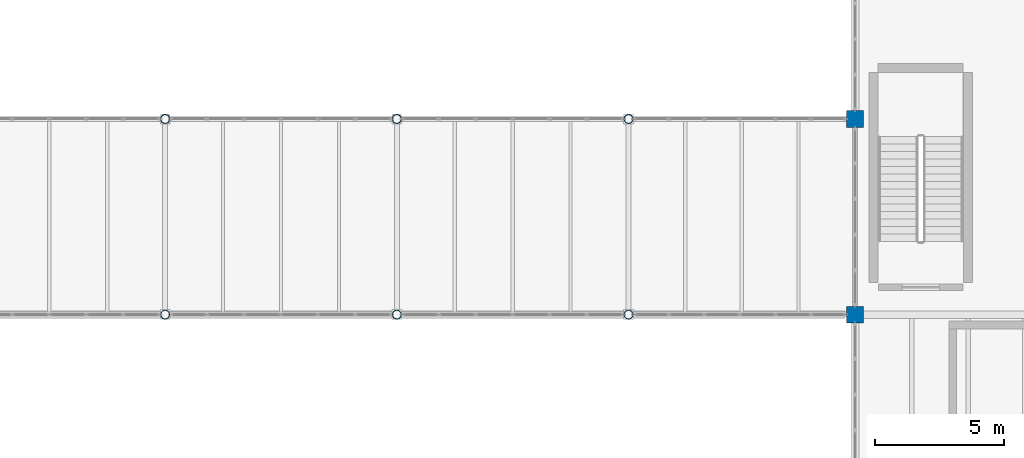
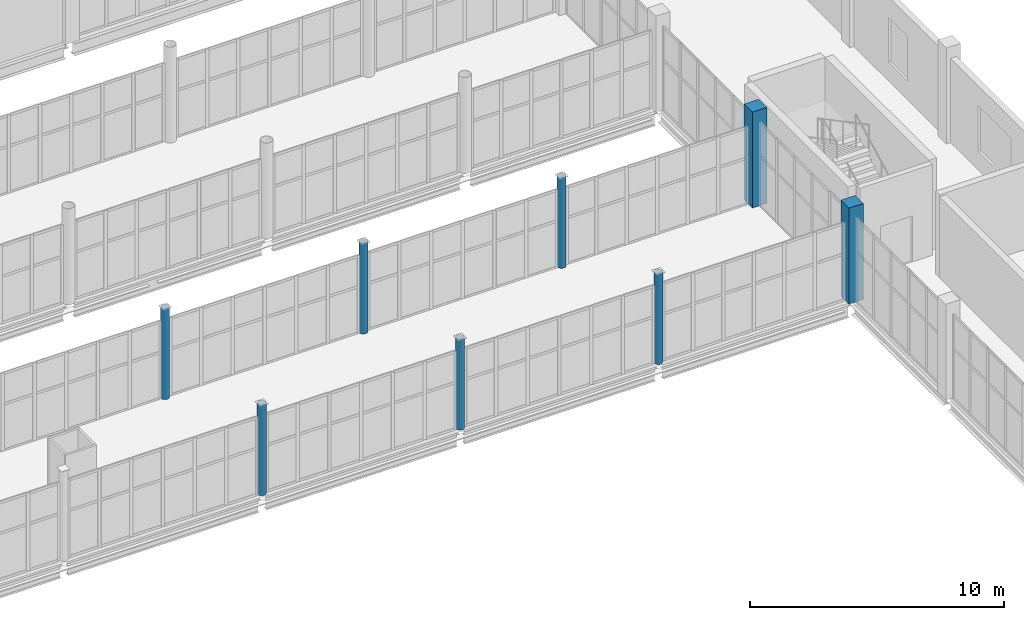
# One storey, part 14 of 172: 8 columns.
"""IFC4 building model written with IfcOpenShell, lengths in metres."""

import ifcopenshell
import ifcopenshell.guid

model = None  # the IFC model being written
_history = None  # IfcOwnerHistory: only IFC2X3 demands one
_inside = {}  # id of a spatial element -> (the spatial element, [elements in it])
_under = {}  # id of a project, library or spatial element -> (it, [spatial elements below it])
_declared = {}  # id of a project -> (the project, [libraries it declares])
_typed = {}  # id of a type object -> (the type object, [elements of that type])
_made_of = {}  # id of a material, layer set ... -> (it, [elements and type objects made of it])


def new_model(schema):
    """Start an empty IFC model of exactly this schema.

    Asked for "IFC4X3", IfcOpenShell would pick the latest addendum, in which some entities
    have other attributes; the version numbers below select the first issue.
    IFC2X3 requires an IfcOwnerHistory on every rooted entity: one is made here for all.
    """
    global model, _history
    if schema == "IFC4X3":
        model = ifcopenshell.file(schema_version=(4, 3, 0, 0))
    else:
        model = ifcopenshell.file(schema=schema)
    _inside.clear()
    _under.clear()
    _declared.clear()
    _typed.clear()
    _made_of.clear()
    _history = None
    if model.schema == "IFC2X3":
        org = make("IfcOrganization", Name="unknown")
        user = make(
            "IfcPersonAndOrganization",
            ThePerson=make("IfcPerson", FamilyName="unknown"),
            TheOrganization=org,
        )
        app = make(
            "IfcApplication",
            ApplicationDeveloper=org,
            Version="unknown",
            ApplicationFullName="unknown",
            ApplicationIdentifier="unknown",
        )
        _history = make(
            "IfcOwnerHistory",
            OwningUser=user,
            OwningApplication=app,
            ChangeAction="ADDED",
            CreationDate=0,
        )
    return model


def make(cls, **values):
    """One entity of the class cls with the attributes given. An attribute that is None is left unset."""
    return model.create_entity(
        cls, **{name: value for name, value in values.items() if value is not None}
    )


def rooted(cls, **values):
    """An entity with a GlobalId (a new one), such as an element, a storey or a relation."""
    return make(cls, GlobalId=ifcopenshell.guid.new(), OwnerHistory=_history, **values)


def si_unit(unit_type, name, prefix=None):
    """IfcSIUnit, for example si_unit("LENGTHUNIT", "METRE", prefix="MILLI")."""
    return make("IfcSIUnit", UnitType=unit_type, Prefix=prefix, Name=name)


def assignment(units):
    """IfcUnitAssignment: the units of a project."""
    return None if units is None else make("IfcUnitAssignment", Units=units)


def point(xyz):
    """IfcCartesianPoint."""
    return None if xyz is None else make("IfcCartesianPoint", Coordinates=xyz)


def direction(xyz):
    """IfcDirection."""
    return None if xyz is None else make("IfcDirection", DirectionRatios=xyz)


def frame(location, z_axis=None, x_axis=None):
    """IfcAxis2Placement3D, a coordinate frame: its origin and axes. An axis left out is left unset."""
    return make(
        "IfcAxis2Placement3D",
        Location=point(location),
        Axis=direction(z_axis),
        RefDirection=direction(x_axis),
    )


def frame_2d(location, x_axis=None):
    """IfcAxis2Placement2D, a coordinate frame in the plane: its origin and x axis."""
    return make(
        "IfcAxis2Placement2D", Location=point(location), RefDirection=direction(x_axis)
    )


def origin():
    """The frame at (0, 0, 0) with its axes left unset."""
    return frame((0.0, 0.0, 0.0))


def origin_2d():
    """The frame at (0, 0) in the plane with its x axis left unset."""
    return frame_2d((0.0, 0.0))


def place(relative_to, where):
    """IfcLocalPlacement: puts the frame where relative to a parent placement (None: the world)."""
    return make(
        "IfcLocalPlacement", PlacementRelTo=relative_to, RelativePlacement=where
    )


def context(
    kind, dimensions, precision=None, world=None, true_north=None, identifier=None
):
    """IfcGeometricRepresentationContext, for example the 3D "Model" context."""
    return make(
        "IfcGeometricRepresentationContext",
        ContextIdentifier=identifier,
        ContextType=kind,
        CoordinateSpaceDimension=dimensions,
        Precision=precision,
        WorldCoordinateSystem=world,
        TrueNorth=true_north,
    )


def subcontext(parent, identifier, kind, view, scale=None):
    """IfcGeometricRepresentationSubContext, for example "Body" below "Model"."""
    return make(
        "IfcGeometricRepresentationSubContext",
        ContextIdentifier=identifier,
        ContextType=kind,
        ParentContext=parent,
        TargetScale=scale,
        TargetView=view,
    )


def project(units=None, contexts=None):
    """IfcProject with its units and contexts."""
    return rooted(
        "IfcProject",
        Name="project",
        RepresentationContexts=contexts,
        UnitsInContext=assignment(units),
    )


def spatial(cls, under=None, at=None, **own):
    """A site, building, storey or space (cls), placed at a placement, below another one or the project."""
    s = rooted(cls, ObjectPlacement=at, **own)
    if under is not None:
        _under.setdefault(under.id(), (under, []))[1].append(s)
    return s


def profile(cls, at=None, kind="AREA", **sizes):
    """A parametric profile (cls). Its sizes go by their IFC names, for example OverallWidth=200.0."""
    return make(cls, ProfileType=kind, Position=at, **sizes)


def rectangle(**sizes):
    """IfcRectangleProfileDef."""
    return profile("IfcRectangleProfileDef", **sizes)


def hollow_circle(**sizes):
    """IfcCircleHollowProfileDef."""
    return profile("IfcCircleHollowProfileDef", **sizes)


def extrude(swept, where, along, depth):
    """IfcExtrudedAreaSolid: the profile swept, set in the frame where, extruded along a direction by depth."""
    return make(
        "IfcExtrudedAreaSolid",
        SweptArea=swept,
        Position=where,
        ExtrudedDirection=direction(along),
        Depth=depth,
    )


def shape(context_of_items, identifier, shape_type, items):
    """IfcShapeRepresentation: the items that make up one representation, for example the "Body"."""
    return make(
        "IfcShapeRepresentation",
        ContextOfItems=context_of_items,
        RepresentationIdentifier=identifier,
        RepresentationType=shape_type,
        Items=items,
    )


def material(Name=None, Category=None):
    """IfcMaterial."""
    return make("IfcMaterial", Name=Name, Category=Category)


def material_profile(
    of_material, cross_section, Name=None, Category=None, Priority=None
):
    """IfcMaterialProfile: a cross section and its material."""
    return make(
        "IfcMaterialProfile",
        Name=Name,
        Material=of_material,
        Profile=cross_section,
        Priority=Priority,
        Category=Category,
    )


def profile_set(profiles, Name=None, composite=None):
    """IfcMaterialProfileSet."""
    return make(
        "IfcMaterialProfileSet",
        Name=Name,
        MaterialProfiles=profiles,
        CompositeProfile=composite,
    )


def made_of(thing, what):
    """Note that an element or type object is made of a material, layer set ...; save() writes the relation."""
    if what is not None:
        _made_of.setdefault(what.id(), (what, []))[1].append(thing)
    return thing


def type_object(cls, material=None, **own):
    """A type object (cls), such as IfcWallType, which elements share."""
    return made_of(rooted(cls, **own), material)


def element(
    cls,
    number,
    at=None,
    inside=None,
    cuts=None,
    type_object=None,
    material=None,
    context=None,
    identifier="Body",
    shape_type=None,
    held_by="IfcProductDefinitionShape",
    body=None,
    shapes=None,
    **own,
):
    """One element of the class cls, such as IfcWall. Its Tag is "e" and its number.

    at: its placement. inside: the storey or other place that contains it. cuts: it is an
    opening in that element (IfcRelVoidsElement). A single representation is given by context,
    identifier, shape_type and body (its items); several are given by shapes. held_by: the class
    of the entity that holds the representations. save() writes the other relations.
    """
    e = rooted(cls, Tag="e%d" % number, ObjectPlacement=at, **own)
    if body is not None:
        shapes = [shape(context, identifier, shape_type, body)]
    if shapes is not None:
        e.Representation = make(held_by, Representations=shapes)
    if inside is not None:
        _inside.setdefault(inside.id(), (inside, []))[1].append(e)
    if cuts is not None:
        rooted(
            "IfcRelVoidsElement", RelatingBuildingElement=cuts, RelatedOpeningElement=e
        )
    if type_object is not None:
        _typed.setdefault(type_object.id(), (type_object, []))[1].append(e)
    return made_of(e, material)


def aggregate(whole, parts):
    """IfcRelAggregates: a whole, such as a stair, and the parts it consists of."""
    return rooted("IfcRelAggregates", RelatingObject=whole, RelatedObjects=parts)


def save(model, path):
    """Write the relations noted so far, then the file.

    IfcRelAggregates (storeys below a building ...), IfcRelContainedInSpatialStructure (elements
    in a storey), IfcRelDefinesByType, IfcRelAssociatesMaterial and IfcRelDeclares: one each for
    every whole, place, type object, material and project.
    """
    for whole, parts in _under.values():
        aggregate(whole, parts)
    for where, things in _inside.values():
        rooted(
            "IfcRelContainedInSpatialStructure",
            RelatedElements=things,
            RelatingStructure=where,
        )
    for kind, things in _typed.values():
        rooted("IfcRelDefinesByType", RelatedObjects=things, RelatingType=kind)
    for what, things in _made_of.values():
        rooted("IfcRelAssociatesMaterial", RelatedObjects=things, RelatingMaterial=what)
    for by, libraries in _declared.values():
        rooted("IfcRelDeclares", RelatingContext=by, RelatedDefinitions=libraries)
    model.write(path)


model = new_model("IFC4")

# Units and contexts
model_context = context("Model", 3, precision=1e-05, world=origin(), true_north=direction((0.0, 1.0)))
body_context = subcontext(model_context, "Body", "Model", "MODEL_VIEW")
ifc_project = project(units=[si_unit("LENGTHUNIT", "METRE"), si_unit("AREAUNIT", "SQUARE_METRE"), si_unit("VOLUMEUNIT", "CUBIC_METRE"), si_unit("PLANEANGLEUNIT", "RADIAN"), si_unit("MASSUNIT", "GRAM", prefix="KILO")], contexts=[model_context])

# Site, building, storey
site_placement = place(None, origin())
site = spatial("IfcSite", under=ifc_project, at=site_placement, CompositionType="ELEMENT")
building_placement = place(site_placement, origin())
building = spatial("IfcBuilding", under=site, at=building_placement, Name="Shengluoqiao Park Theatre", CompositionType="ELEMENT")
storey_placement = place(building_placement, frame((0.0, 0.0, 5.39990234375)))
storey = spatial("IfcBuildingStorey", under=building, at=storey_placement, Name="L01", CompositionType="ELEMENT", Elevation=5.39990234375)

# Columns
ifc_material_1 = material(Name="Steel Q355", Category="steel")
ifc_material_profile_1 = material_profile(ifc_material_1, hollow_circle(Radius=0.177978515625, WallThickness=0.013916015625, at=origin_2d()), Name="CHS 356x14")
ifc_profile_set_1 = profile_set([ifc_material_profile_1], Name="Steel Q355")
column_type_1 = type_object("IfcColumnType", Name="STR-COL-C-CHS356", PredefinedType="COLUMN", material=ifc_profile_set_1)
for number, where, z_axis, x_axis, name in (
    (1, (130.39990234375, 53.199951171875, 0.0), (0.0, 0.0, 1.0), (1.0, 0.0, 0.0), "L01 Column 0626"),
    (2, (130.39990234375, 60.800048828125, 0.0), (0.0, 0.0, 1.0), (1.0, 0.0, 0.0), "L01 Column 0628"),
    (3, (139.39990234375, 53.199951171875, 0.0), (0.0, 0.0, 1.0), (1.0, 0.0, 0.0), "L01 Column 0671"),
    (4, (139.39990234375, 60.800048828125, 0.0), (0.0, 0.0, 1.0), (1.0, 0.0, 0.0), "L01 Column 0673"),
    (5, (148.39990234375, 53.199951171875, 0.0), (0.0, 0.0, 1.0), (1.0, 0.0, 0.0), "L01 Column 0728"),
    (6, (148.39990234375, 60.800048828125, 0.0), (0.0, 0.0, 1.0), (1.0, 0.0, 0.0), "L01 Column 0730"),
):
    element("IfcColumn", number, at=place(storey_placement, frame(where, z_axis=z_axis, x_axis=x_axis)), inside=storey, type_object=column_type_1, Name=name, PredefinedType="COLUMN", context=body_context, shape_type="SweptSolid", body=[
        extrude(hollow_circle(Radius=0.177978515625, WallThickness=0.013916015625, at=origin_2d()), origin(), (0.0, 0.0, 1.0), 4.35009765625),
    ])
ifc_material_2 = material(Name="Concrete C40", Category="concrete")
ifc_material_profile_2 = material_profile(ifc_material_2, rectangle(XDim=0.64990234375, YDim=0.64990234375, at=origin_2d()), Name="RC 650x650")
ifc_profile_set_2 = profile_set([ifc_material_profile_2], Name="Concrete C40")
column_type_2 = type_object("IfcColumnType", Name="STR-COL-C-RC650", PredefinedType="COLUMN", material=ifc_profile_set_2)
for number, where, z_axis, x_axis, name in (
    (7, (157.199951171875, 53.199951171875, 0.0), (0.0, 0.0, 1.0), (1.0, 0.0, 0.0), "L01 Column 0791"),
    (8, (157.199951171875, 60.800048828125, 0.0), (0.0, 0.0, 1.0), (1.0, 0.0, 0.0), "L01 Column 0794"),
):
    element("IfcColumn", number, at=place(storey_placement, frame(where, z_axis=z_axis, x_axis=x_axis)), inside=storey, type_object=column_type_2, Name=name, PredefinedType="COLUMN", context=body_context, shape_type="SweptSolid", body=[
        extrude(rectangle(XDim=0.64990234375, YDim=0.64990234375, at=origin_2d()), origin(), (0.0, 0.0, 1.0), 4.60009765625),
    ])

save(model, "model.ifc")
